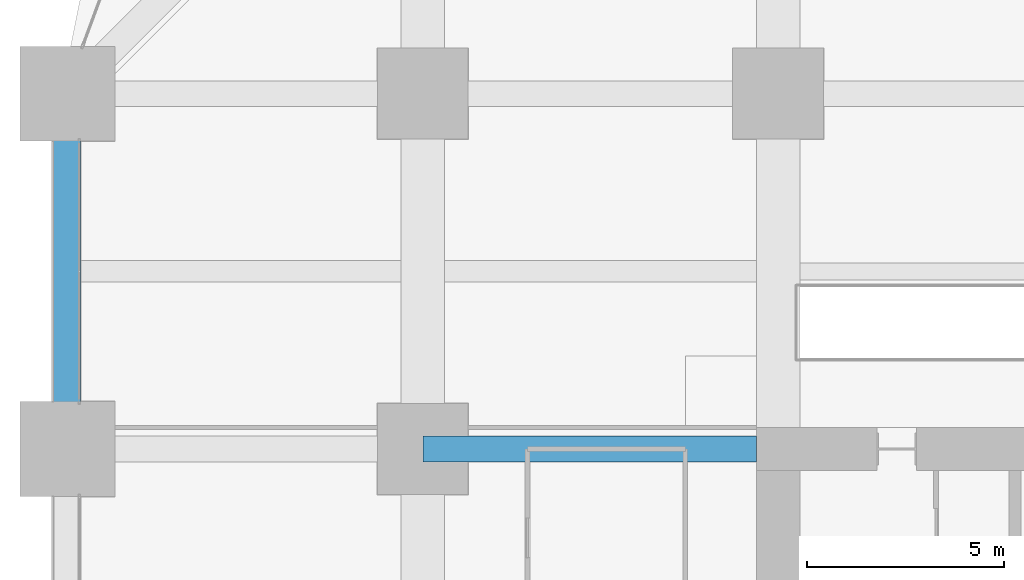
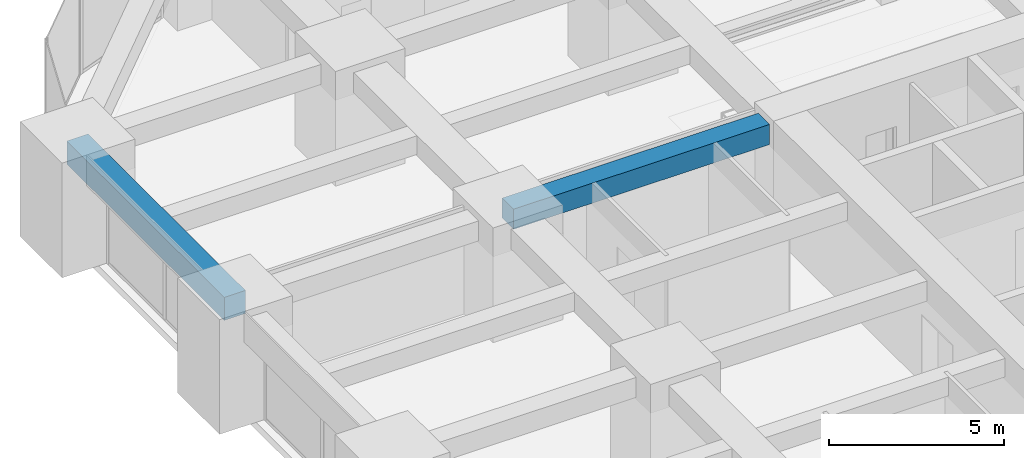
# One storey, part 24 of 44: 2 beams.
"""IFC4 building model written with IfcOpenShell, lengths in metres."""

from ifc_helpers import new_model, si_unit, direction, frame, origin, origin_2d, place, context, subcontext, project, spatial, rectangle, extrude, material, material_profile, profile_set, type_object, element, save


model = new_model("IFC4")

# Units and contexts
model_context = context("Model", 3, precision=1e-05, world=origin(), true_north=direction((0.0, 1.0)))
body_context = subcontext(model_context, "Body", "Model", "MODEL_VIEW")
ifc_project = project(units=[si_unit("LENGTHUNIT", "METRE"), si_unit("AREAUNIT", "SQUARE_METRE"), si_unit("VOLUMEUNIT", "CUBIC_METRE"), si_unit("PLANEANGLEUNIT", "RADIAN"), si_unit("MASSUNIT", "GRAM", prefix="KILO")], contexts=[model_context])

# Site, building, storey
site_placement = place(None, origin())
site = spatial("IfcSite", under=ifc_project, at=site_placement, CompositionType="ELEMENT")
building_placement = place(site_placement, origin())
building = spatial("IfcBuilding", under=site, at=building_placement, Name="Zorevar Civic Tower", CompositionType="ELEMENT")
storey_placement = place(building_placement, frame((0.0, 0.0, 43.800048828125)))
storey = spatial("IfcBuildingStorey", under=building, at=storey_placement, Name="L10", CompositionType="ELEMENT", Elevation=43.800048828125)

# Beams
ifc_material_1 = material(Name="Concrete C50/60", Category="concrete")
ifc_material_profile_1 = material_profile(ifc_material_1, rectangle(XDim=0.64990234375, YDim=0.699951171875, at=origin_2d()), Name="RC 650x700")
ifc_profile_set_1 = profile_set([ifc_material_profile_1], Name="Concrete C50/60")
beam_type_1 = type_object("IfcBeamType", Name="Beam RC 650x700", PredefinedType="BEAM", material=ifc_profile_set_1)
beam_1_placement = place(storey_placement, frame((9.0, 36.0, 3.39990234375), z_axis=(1.0, 0.0, 0.0), x_axis=(0.0, 1.0, 0.0)))
element("IfcBeam", 1, at=beam_1_placement, inside=storey, type_object=beam_type_1, Name="Girder L11", PredefinedType="BEAM", context=body_context, shape_type="SweptSolid", body=[
    extrude(rectangle(XDim=0.64990234375, YDim=0.699951171875, at=origin_2d()), origin(), (0.0, 0.0, 1.0), 8.449951171875),
])
ifc_material_2 = material(Name="Concrete C50/60", Category="concrete")
ifc_material_profile_2 = material_profile(ifc_material_2, rectangle(XDim=0.699951171875, YDim=0.800048828125, at=origin_2d()), Name="RC 700x800")
ifc_profile_set_2 = profile_set([ifc_material_profile_2], Name="Concrete C50/60")
beam_type_2 = type_object("IfcBeamType", Name="Edge beam RC 700x800", PredefinedType="SPANDREL", material=ifc_profile_set_2)
beam_2_placement = place(storey_placement, frame((0.0, 36.0, 3.349853515625), z_axis=(0.0, 1.0, 0.0), x_axis=(-1.0, 0.0, 0.0)))
element("IfcBeam", 2, at=beam_2_placement, inside=storey, type_object=beam_type_2, Name="Edge beam L11", PredefinedType="SPANDREL", context=body_context, shape_type="SweptSolid", body=[
    extrude(rectangle(XDim=0.699951171875, YDim=0.800048828125, at=origin_2d()), origin(), (0.0, 0.0, 1.0), 9.0),
])

save(model, "model.ifc")
